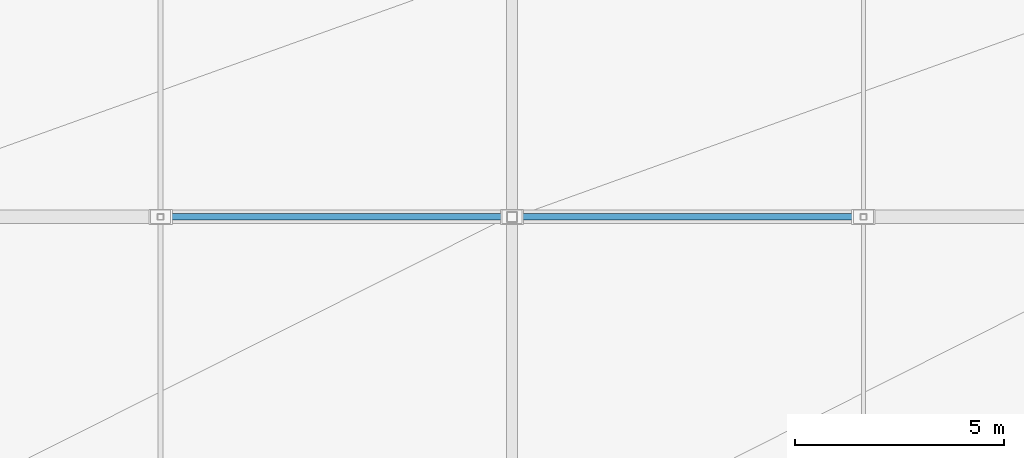
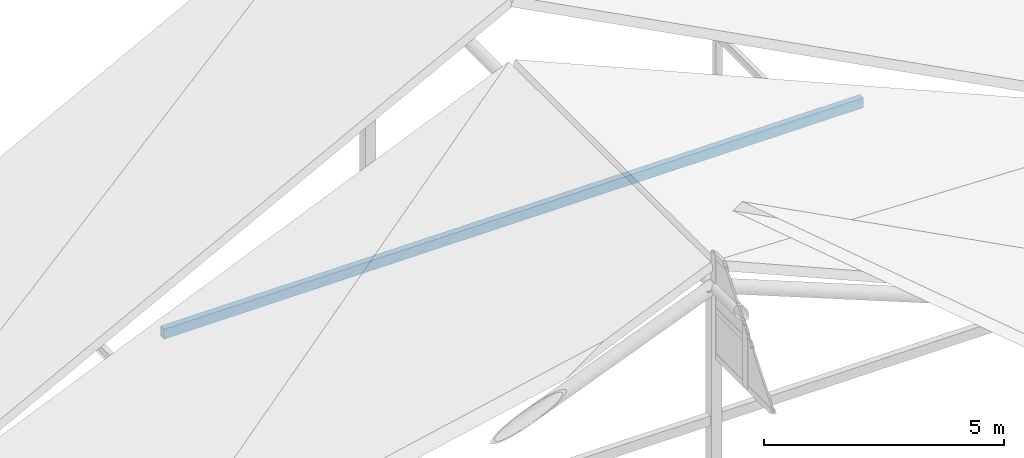
# One storey, part 33 of 76: 1 member.
"""IFC4 building model written with IfcOpenShell, lengths in metres."""

from ifc_helpers import new_model, si_unit, direction, frame, origin, origin_2d, place, context, subcontext, project, spatial, hollow_rectangle, extrude, material, material_profile, profile_set, type_object, element, save


model = new_model("IFC4")

# Units and contexts
model_context = context("Model", 3, precision=1e-05, world=origin(), true_north=direction((0.0, 1.0)))
body_context = subcontext(model_context, "Body", "Model", "MODEL_VIEW")
ifc_project = project(units=[si_unit("LENGTHUNIT", "METRE"), si_unit("AREAUNIT", "SQUARE_METRE"), si_unit("VOLUMEUNIT", "CUBIC_METRE"), si_unit("PLANEANGLEUNIT", "RADIAN"), si_unit("MASSUNIT", "GRAM", prefix="KILO")], contexts=[model_context])

# Site, building, storey
site_placement = place(None, origin())
site = spatial("IfcSite", under=ifc_project, at=site_placement, CompositionType="ELEMENT")
building_placement = place(site_placement, origin())
building = spatial("IfcBuilding", under=site, at=building_placement, Name="Krzemoval Escarpment Law Courts", CompositionType="ELEMENT")
storey_placement = place(building_placement, frame((0.0, 0.0, 20.39990234375)))
storey = spatial("IfcBuildingStorey", under=building, at=storey_placement, Name="L04", CompositionType="ELEMENT", Elevation=20.39990234375)

# Member
ifc_material = material(Name="Steel S355", Category="steel")
ifc_material_profile = material_profile(ifc_material, hollow_rectangle(XDim=0.14990234375, YDim=0.25, WallThickness=0.010009765625, at=origin_2d()), Name="RHS 250x150x10")
ifc_profile_set = profile_set([ifc_material_profile], Name="Steel S355")
member_type = type_object("IfcMemberType", Name="MBR-COL-RHS250", PredefinedType="COLLAR", material=ifc_profile_set)
member_placement = place(storey_placement, frame((16.800048828125, 93.60009765625, 3.2001953125), z_axis=(1.0, 0.0, 0.0), x_axis=(0.0, 1.0, 0.0)))
element("IfcMember", 1, at=member_placement, inside=storey, type_object=member_type, Name="Roof Collar Tie CL-0048", PredefinedType="COLLAR", context=body_context, shape_type="SweptSolid", body=[
    extrude(hollow_rectangle(XDim=0.14990234375, YDim=0.25, WallThickness=0.010009765625, at=origin_2d()), origin(), (0.0, 0.0, 1.0), 16.800048828125),
])

save(model, "model.ifc")
